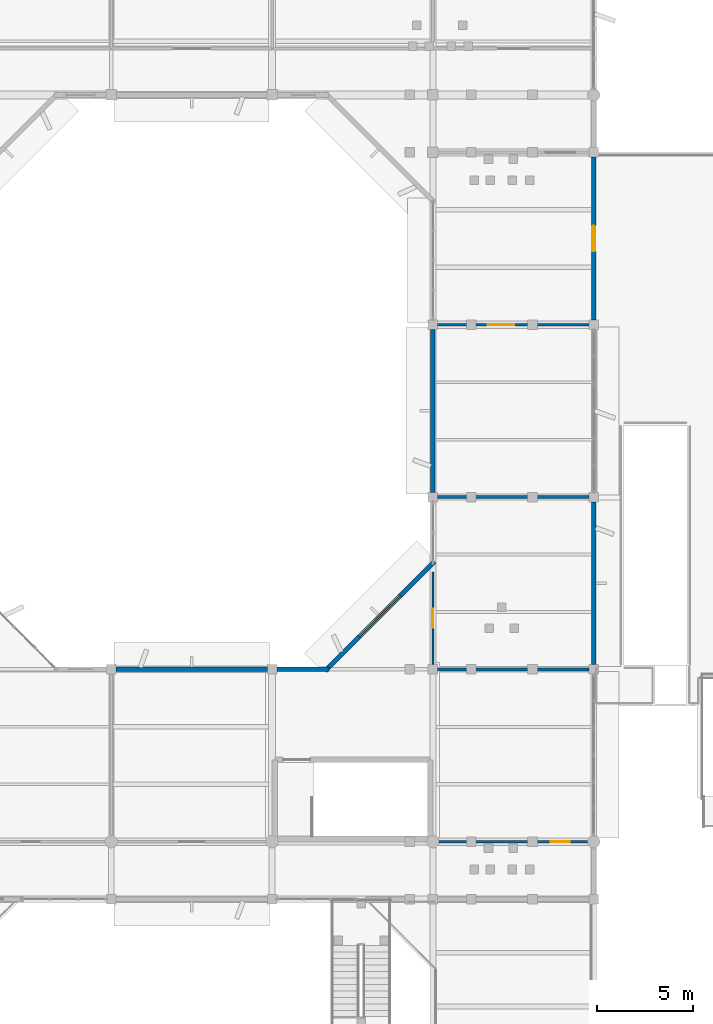
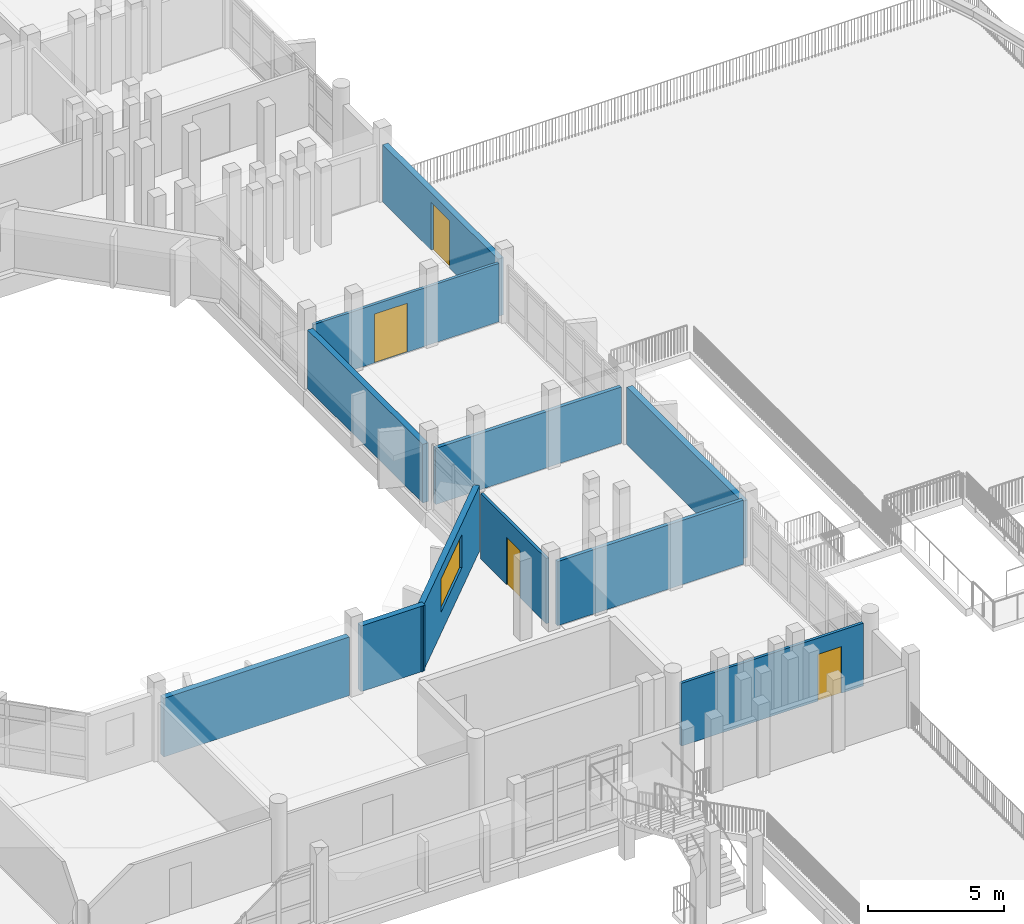
# One storey, part 61 of 92: 11 walls, 4 doors, 1 window, 5 openings.
"""IFC4 building model written with IfcOpenShell, lengths in metres."""

from ifc_helpers import new_model, si_unit, direction, frame, frame_2d, origin, place, context, subcontext, project, spatial, rectangle, extrude, material, layer, layer_set, type_object, element, fill, save


model = new_model("IFC4")

# Units and contexts
model_context = context("Model", 3, precision=1e-05, world=origin(), true_north=direction((0.0, 1.0)))
body_context = subcontext(model_context, "Body", "Model", "MODEL_VIEW")
ifc_project = project(units=[si_unit("LENGTHUNIT", "METRE"), si_unit("AREAUNIT", "SQUARE_METRE"), si_unit("VOLUMEUNIT", "CUBIC_METRE"), si_unit("PLANEANGLEUNIT", "RADIAN"), si_unit("MASSUNIT", "GRAM", prefix="KILO")], contexts=[model_context])

# Site, building, storey
site_placement = place(None, origin())
site = spatial("IfcSite", under=ifc_project, at=site_placement, CompositionType="ELEMENT")
building_placement = place(site_placement, origin())
building = spatial("IfcBuilding", under=site, at=building_placement, Name="Vanh Quang Courtyard School", CompositionType="ELEMENT")
storey_placement = place(building_placement, frame((0.0, 0.0, 7.800048828125)))
storey = spatial("IfcBuildingStorey", under=building, at=storey_placement, Name="L02", CompositionType="ELEMENT", Elevation=7.800048828125)

# Wall, opening, door
ifc_material_1 = material(Name="Precast concrete C40/50", Category="concrete")
ifc_layer_1 = layer(ifc_material_1, 0.239990234375)
ifc_layer_set_1 = layer_set([ifc_layer_1], Name="Precast concrete C40/50")
wall_type_1 = type_object("IfcWallType", Name="W-EXT-240", PredefinedType="SOLIDWALL", material=ifc_layer_set_1)
wall_1_placement = place(storey_placement, frame((119.39990234375, 68.152099609375, 0.0), z_axis=(0.0, 0.0, 1.0), x_axis=(0.0, -1.0, 0.0)))
wall_1 = element("IfcWall", 1, at=wall_1_placement, inside=storey, type_object=wall_type_1, Name="Wall WE-03 (L02)", PredefinedType="SOLIDWALL", context=body_context, shape_type="SweptSolid", body=[
    extrude(rectangle(XDim=8.504150390625, YDim=0.239990234375, at=frame_2d((4.251953125, 0.0))), origin(), (0.0, 0.0, 1.0), 2.579833984375),
])
opening_1_placement = place(wall_1_placement, frame((3.576904296875, 0.0, 0.0)))
opening_1 = element("IfcOpeningElement", 2, at=opening_1_placement, cuts=wall_1, Name="Opening L02-PD053", PredefinedType="OPENING", context=body_context, shape_type="SweptSolid", body=[
    extrude(rectangle(XDim=1.35009765625, YDim=2.14990234375, at=frame_2d((0.675048828125, 1.074951171875))), frame((0.0, 0.1298828125, 0.0), z_axis=(0.0, -1.0, 0.0), x_axis=(1.0, 0.0, 0.0)), (0.0, 0.0, 1.0), 0.260009765625),
])
ifc_material_2 = material(Name="Thermally broken aluminium and laminated safety glass", Category="aluminium")
door_type_1 = type_object("IfcDoorType", Name="EDR-TYP-04", OperationType="NOTDEFINED", PredefinedType="DOOR", material=ifc_material_2)
door_1_placement = place(opening_1_placement, origin())
door_1 = element("IfcDoor", 3, at=door_1_placement, inside=storey, type_object=door_type_1, Name="Door L02-PD053 (L02)", OperationType="SINGLE_SWING_RIGHT", OverallHeight=2.14990234375, OverallWidth=1.35009765625, PredefinedType="DOOR", context=body_context, shape_type="SweptSolid", body=[
    extrude(rectangle(XDim=1.35009765625, YDim=2.14990234375, at=frame_2d((0.675048828125, 1.074951171875))), frame((0.0, 0.02490234375, 0.0), z_axis=(0.0, -1.0, 0.0), x_axis=(1.0, 0.0, 0.0)), (0.0, 0.0, 1.0), 0.050048828125),
])
fill(opening_1, door_1)

# Walls
wall_2_placement = place(storey_placement, frame((119.39990234375, 50.152099609375, 0.0), z_axis=(0.0, 0.0, 1.0), x_axis=(0.0, -1.0, 0.0)))
element("IfcWall", 4, at=wall_2_placement, inside=storey, type_object=wall_type_1, Name="Wall WE-03 (L02)", PredefinedType="SOLIDWALL", context=body_context, shape_type="SweptSolid", body=[
    extrude(rectangle(XDim=8.504150390625, YDim=0.239990234375, at=frame_2d((4.251953125, 0.0))), origin(), (0.0, 0.0, 1.0), 2.579833984375),
])
wall_3_placement = place(storey_placement, frame((94.447998046875, 41.39990234375, 0.0), z_axis=(0.0, 0.0, 1.0), x_axis=(1.0, 0.0, 0.0)))
element("IfcWall", 5, at=wall_3_placement, inside=storey, type_object=wall_type_1, Name="Wall WE-03 (L02)", PredefinedType="SOLIDWALL", context=body_context, shape_type="SweptSolid", body=[
    extrude(rectangle(XDim=7.904052734375, YDim=0.239990234375, at=frame_2d((3.9521484375, 0.0))), origin(), (0.0, 0.0, 1.0), 2.639892578125),
])
wall_4_placement = place(storey_placement, frame((102.847900390625, 41.39990234375, 0.0), z_axis=(0.0, 0.0, 1.0), x_axis=(1.0, 0.0, 0.0)))
element("IfcWall", 6, at=wall_4_placement, inside=storey, type_object=wall_type_1, Name="Wall WE-03 (L02)", PredefinedType="SOLIDWALL", context=body_context, shape_type="SweptSolid", body=[
    extrude(rectangle(XDim=2.72802734375, YDim=0.239990234375, at=frame_2d((1.364013671875, 0.0))), origin(), (0.0, 0.0, 1.0), 2.949951171875),
])

# Wall, opening, window
wall_5_placement = place(storey_placement, frame((105.37109375, 41.315185546875, 0.0), z_axis=(0.0, 0.0, 1.0), x_axis=(0.707121887885, 0.707091674165, 0.0)))
wall_5 = element("IfcWall", 7, at=wall_5_placement, inside=storey, type_object=wall_type_1, Name="Wall WE-03 (L02)", PredefinedType="SOLIDWALL", context=body_context, shape_type="SweptSolid", body=[
    extrude(rectangle(XDim=8.08056640625, YDim=0.239990234375, at=frame_2d((4.040283203125, 0.0))), origin(), (0.0, 0.0, 1.0), 2.93994140625),
])
opening_2_placement = place(wall_5_placement, frame((2.540283203125, 0.0, 0.949951171875)))
opening_2 = element("IfcOpeningElement", 8, at=opening_2_placement, cuts=wall_5, Name="Opening WN-16", PredefinedType="OPENING", context=body_context, shape_type="SweptSolid", body=[
    extrude(rectangle(XDim=3.0, YDim=1.5, at=frame_2d((1.5, 0.75))), frame((0.0, 0.1298828125, 0.0), z_axis=(0.0, -1.0, 0.0), x_axis=(1.0, 0.0, 0.0)), (0.0, 0.0, 1.0), 0.260009765625),
])
ifc_material_3 = material(Name="Anodised aluminium and low-E double glazing", Category="aluminium")
window_type = type_object("IfcWindowType", Name="WIN-TYP-16", PartitioningType="SINGLE_PANEL", PredefinedType="WINDOW", material=ifc_material_3)
window_placement = place(opening_2_placement, origin())
window = element("IfcWindow", 9, at=window_placement, inside=storey, type_object=window_type, Name="Window WN-16 (L02)", OverallHeight=1.5, OverallWidth=3.0, PartitioningType="SINGLE_PANEL", PredefinedType="WINDOW", context=body_context, shape_type="SweptSolid", body=[
    extrude(rectangle(XDim=3.0, YDim=1.5, at=frame_2d((1.5, 0.75))), frame((0.0, 0.030029296875, 0.0), z_axis=(0.0, -1.0, 0.0), x_axis=(1.0, 0.0, 0.0)), (0.0, 0.0, 1.0), 0.06005859375),
])
fill(opening_2, window)

# Wall
wall_6_placement = place(storey_placement, frame((111.0, 50.64794921875, 0.0), z_axis=(0.0, 0.0, 1.0), x_axis=(0.0, 1.0, 0.0)))
element("IfcWall", 10, at=wall_6_placement, inside=storey, type_object=wall_type_1, Name="Wall WE-03 (L02)", PredefinedType="SOLIDWALL", context=body_context, shape_type="SweptSolid", body=[
    extrude(rectangle(XDim=8.504150390625, YDim=0.239990234375, at=frame_2d((4.251953125, 0.0))), origin(), (0.0, 0.0, 1.0), 2.639892578125),
])

# Wall, opening, door
ifc_material_4 = material(Name="Acoustic gypsum stud partition", Category="gypsum")
ifc_layer_2 = layer(ifc_material_4, 0.1201171875)
ifc_layer_set_2 = layer_set([ifc_layer_2], Name="Acoustic gypsum stud partition")
wall_type_2 = type_object("IfcWallType", Name="W-PART-120", PredefinedType="PARTITIONING", material=ifc_layer_set_2)
wall_7_placement = place(storey_placement, frame((119.076904296875, 32.39990234375, 0.0), z_axis=(0.0, 0.0, 1.0), x_axis=(-1.0, 0.0, 0.0)))
wall_7 = element("IfcWall", 11, at=wall_7_placement, inside=storey, type_object=wall_type_2, Name="Wall W-PRT2 (L02)", PredefinedType="PARTITIONING", context=body_context, shape_type="SweptSolid", body=[
    extrude(rectangle(XDim=7.75390625, YDim=0.1201171875, at=frame_2d((3.876953125, 0.0))), origin(), (0.0, 0.0, 1.0), 2.829833984375),
])
opening_3_placement = place(wall_7_placement, frame((0.927001953125, 0.0, 0.0)))
opening_3 = element("IfcOpeningElement", 12, at=opening_3_placement, cuts=wall_7, Name="Opening L02-D122", PredefinedType="OPENING", context=body_context, shape_type="SweptSolid", body=[
    extrude(rectangle(XDim=1.0, YDim=2.10009765625, at=frame_2d((0.5, 1.050048828125))), frame((0.0, 0.070068359375, 0.0), z_axis=(0.0, -1.0, 0.0), x_axis=(1.0, 0.0, 0.0)), (0.0, 0.0, 1.0), 0.14013671875),
])
ifc_material_5 = material(Name="Solid-core hardwood acoustic door", Category="wood")
door_type_2 = type_object("IfcDoorType", Name="IDR-CLS-1000x2100", OperationType="NOTDEFINED", PredefinedType="DOOR", material=ifc_material_5)
door_2_placement = place(opening_3_placement, origin())
door_2 = element("IfcDoor", 13, at=door_2_placement, inside=storey, type_object=door_type_2, Name="Door L02-D122 (L02)", OperationType="SINGLE_SWING_LEFT", OverallHeight=2.10009765625, OverallWidth=1.0, PredefinedType="DOOR", context=body_context, shape_type="SweptSolid", body=[
    extrude(rectangle(XDim=1.0, YDim=2.10009765625, at=frame_2d((0.5, 1.050048828125))), frame((0.0, 0.02490234375, 0.0), z_axis=(0.0, -1.0, 0.0), x_axis=(1.0, 0.0, 0.0)), (0.0, 0.0, 1.0), 0.050048828125),
])
fill(opening_3, door_2)

wall_8_placement = place(storey_placement, frame((111.0, 41.64794921875, 0.0), z_axis=(0.0, 0.0, 1.0), x_axis=(0.0, 1.0, 0.0)))
wall_8 = element("IfcWall", 14, at=wall_8_placement, inside=storey, type_object=wall_type_2, Name="Wall W-PRT2 (L02)", PredefinedType="PARTITIONING", context=body_context, shape_type="SweptSolid", body=[
    extrude(rectangle(XDim=4.843505859375, YDim=0.1201171875, at=frame_2d((2.421875, 0.0))), origin(), (0.0, 0.0, 1.0), 2.93994140625),
])
opening_4_placement = place(wall_8_placement, frame((1.931640625, 0.0, 0.0)))
opening_4 = element("IfcOpeningElement", 15, at=opening_4_placement, cuts=wall_8, Name="Opening L02-D123", PredefinedType="OPENING", context=body_context, shape_type="SweptSolid", body=[
    extrude(rectangle(XDim=0.97998046875, YDim=2.1201171875, at=frame_2d((0.489990234375, 1.06005859375))), frame((0.0, 0.070068359375, 0.0), z_axis=(0.0, -1.0, 0.0), x_axis=(1.0, 0.0, 0.0)), (0.0, 0.0, 1.0), 0.14013671875),
])
door_type_3 = type_object("IfcDoorType", Name="IDR-CLS-1050x2100", OperationType="NOTDEFINED", PredefinedType="DOOR", material=ifc_material_5)
door_3_placement = place(opening_4_placement, origin())
door_3 = element("IfcDoor", 16, at=door_3_placement, inside=storey, type_object=door_type_3, Name="Door L02-D123 (L02)", OperationType="SINGLE_SWING_RIGHT", OverallHeight=2.1201171875, OverallWidth=0.97998046875, PredefinedType="DOOR", context=body_context, shape_type="SweptSolid", body=[
    extrude(rectangle(XDim=0.97998046875, YDim=2.1201171875, at=frame_2d((0.489990234375, 1.06005859375))), frame((0.0, 0.02490234375, 0.0), z_axis=(0.0, -1.0, 0.0), x_axis=(1.0, 0.0, 0.0)), (0.0, 0.0, 1.0), 0.050048828125),
])
fill(opening_4, door_3)

wall_9_placement = place(storey_placement, frame((111.248046875, 59.39990234375, 0.0), z_axis=(0.0, 0.0, 1.0), x_axis=(1.0, 0.0, 0.0)))
wall_9 = element("IfcWall", 17, at=wall_9_placement, inside=storey, type_object=wall_type_2, Name="Wall W-PRT2 (L02)", PredefinedType="PARTITIONING", context=body_context, shape_type="SweptSolid", body=[
    extrude(rectangle(XDim=7.904052734375, YDim=0.1201171875, at=frame_2d((3.9521484375, 0.0))), origin(), (0.0, 0.0, 1.0), 2.6298828125),
])
opening_5_placement = place(wall_9_placement, frame((2.60205078125, 0.0, 0.0)))
opening_5 = element("IfcOpeningElement", 18, at=opening_5_placement, cuts=wall_9, Name="Opening L02-D124", PredefinedType="OPENING", context=body_context, shape_type="SweptSolid", body=[
    extrude(rectangle(XDim=1.39990234375, YDim=2.199951171875, at=frame_2d((0.699951171875, 1.10009765625))), frame((0.0, 0.070068359375, 0.0), z_axis=(0.0, -1.0, 0.0), x_axis=(1.0, 0.0, 0.0)), (0.0, 0.0, 1.0), 0.14013671875),
])
door_type_4 = type_object("IfcDoorType", Name="IDR-STU-1400x2200", OperationType="NOTDEFINED", PredefinedType="DOOR", material=ifc_material_5)
door_4_placement = place(opening_5_placement, origin())
door_4 = element("IfcDoor", 19, at=door_4_placement, inside=storey, type_object=door_type_4, Name="Door L02-D124 (L02)", OperationType="SINGLE_SWING_LEFT", OverallHeight=2.199951171875, OverallWidth=1.39990234375, PredefinedType="DOOR", context=body_context, shape_type="SweptSolid", body=[
    extrude(rectangle(XDim=1.39990234375, YDim=2.199951171875, at=frame_2d((0.699951171875, 1.10009765625))), frame((0.0, 0.02490234375, 0.0), z_axis=(0.0, -1.0, 0.0), x_axis=(1.0, 0.0, 0.0)), (0.0, 0.0, 1.0), 0.050048828125),
])
fill(opening_5, door_4)

# Walls
ifc_material_6 = material(Name="Autoclaved aerated masonry blockwork", Category="masonry")
ifc_layer_3 = layer(ifc_material_6, 0.14990234375)
ifc_layer_set_3 = layer_set([ifc_layer_3], Name="Autoclaved aerated masonry blockwork")
wall_type_3 = type_object("IfcWallType", Name="W-PART-150", PredefinedType="PARTITIONING", material=ifc_layer_set_3)
wall_10_placement = place(storey_placement, frame((111.248046875, 41.39990234375, 0.0), z_axis=(0.0, 0.0, 1.0), x_axis=(1.0, 0.0, 0.0)))
element("IfcWall", 20, at=wall_10_placement, inside=storey, type_object=wall_type_3, Name="Wall W-PRT1 (L02)", PredefinedType="PARTITIONING", context=body_context, shape_type="SweptSolid", body=[
    extrude(rectangle(XDim=7.904052734375, YDim=0.14990234375, at=frame_2d((3.9521484375, 0.0))), origin(), (0.0, 0.0, 1.0), 2.889892578125),
])
wall_11_placement = place(storey_placement, frame((111.248046875, 50.39990234375, 0.0), z_axis=(0.0, 0.0, 1.0), x_axis=(1.0, 0.0, 0.0)))
element("IfcWall", 21, at=wall_11_placement, inside=storey, type_object=wall_type_3, Name="Wall W-PRT1 (L02)", PredefinedType="PARTITIONING", context=body_context, shape_type="SweptSolid", body=[
    extrude(rectangle(XDim=7.904052734375, YDim=0.14990234375, at=frame_2d((3.9521484375, 0.0))), origin(), (0.0, 0.0, 1.0), 2.530029296875),
])

save(model, "model.ifc")
